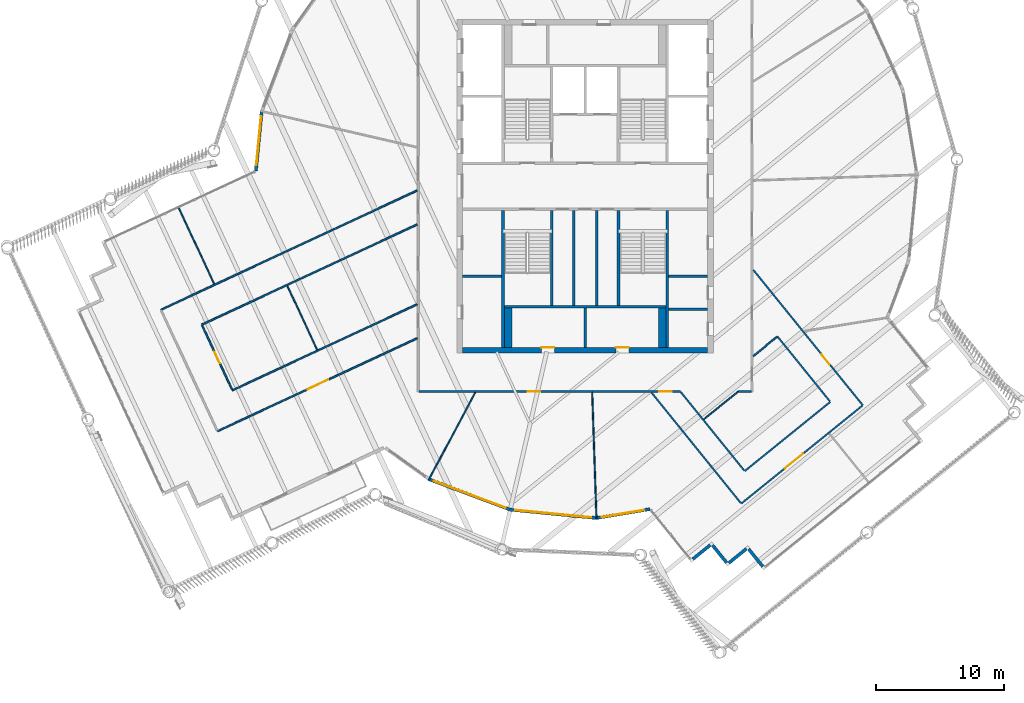
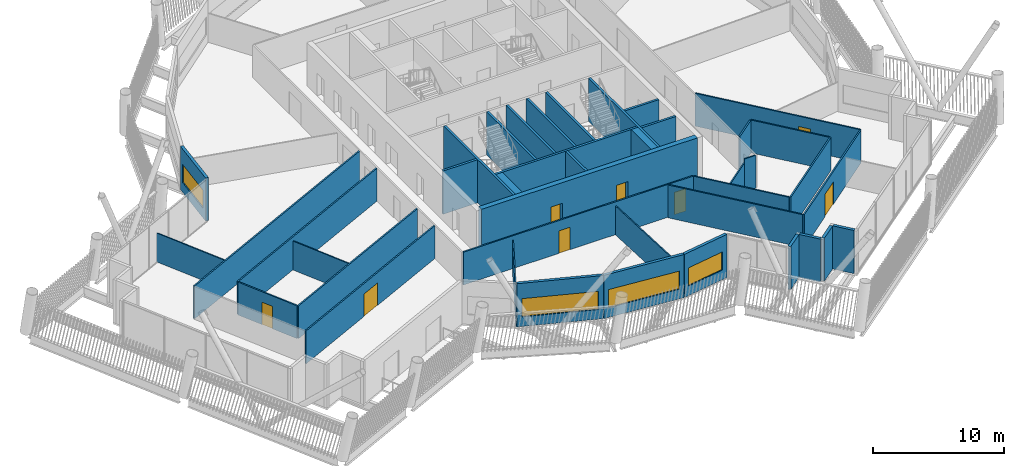
# One storey, part 18 of 36: 41 walls, 8 doors, 4 windows, 12 openings.
"""IFC4 building model written with IfcOpenShell, lengths in metres."""

from ifc_helpers import new_model, si_unit, direction, frame, frame_2d, origin, place, context, subcontext, project, spatial, rectangle, extrude, material, layer, layer_set, type_object, element, fill, save


model = new_model("IFC4")

# Units and contexts
model_context = context("Model", 3, precision=1e-05, world=origin(), true_north=direction((0.0, 1.0)))
body_context = subcontext(model_context, "Body", "Model", "MODEL_VIEW")
ifc_project = project(units=[si_unit("LENGTHUNIT", "METRE"), si_unit("AREAUNIT", "SQUARE_METRE"), si_unit("VOLUMEUNIT", "CUBIC_METRE"), si_unit("PLANEANGLEUNIT", "RADIAN"), si_unit("MASSUNIT", "GRAM", prefix="KILO")], contexts=[model_context])

# Site, building, storey
site_placement = place(None, origin())
site = spatial("IfcSite", under=ifc_project, at=site_placement, CompositionType="ELEMENT")
building_placement = place(site_placement, origin())
building = spatial("IfcBuilding", under=site, at=building_placement, Name="Tarsis Ring Headquarters", CompositionType="ELEMENT")
storey_placement = place(building_placement, frame((0.0, 0.0, 386.0)))
storey = spatial("IfcBuildingStorey", under=building, at=storey_placement, Name="L91", CompositionType="ELEMENT", Elevation=386.0)

# Walls
ifc_material_1 = material(Name="Blockwork", Category="masonry")
ifc_layer_1 = layer(ifc_material_1, 0.199951171875)
ifc_layer_set_1 = layer_set([ifc_layer_1], Name="Core blockwork wall 200")
wall_type_1 = type_object("IfcWallType", Name="Core blockwork wall 200", PredefinedType="PARTITIONING", material=ifc_layer_set_1)
for number, where, z_axis, x_axis, name in (
    (1, (-9.550048828125, -7.0, 0.0), (0.0, 0.0, 1.0), (1.0, 0.0, 0.0), "Core partition WD2"),
    (2, (6.5, -9.60009765625, 0.0), (0.0, 0.0, 1.0), (1.0, 0.0, 0.0), "Core partition ED1"),
    (3, (6.5, -7.0, 0.0), (0.0, 0.0, 1.0), (1.0, 0.0, 0.0), "Core partition ED2"),
    (4, (0.0, -12.550048828125, 0.0), (0.0, 0.0, 1.0), (0.0, 1.0, 0.0), "Core partition SD2"),
):
    element("IfcWall", number, at=place(storey_placement, frame(where, z_axis=z_axis, x_axis=x_axis)), inside=storey, type_object=wall_type_1, Name=name, PredefinedType="PARTITIONING", context=body_context, shape_type="SweptSolid", body=[
        extrude(rectangle(XDim=3.050048828125, YDim=0.199951171875, at=frame_2d((1.52490234375, 0.0))), origin(), (0.0, 0.0, 1.0), 4.0400390625),
    ])
for number, where, z_axis, x_axis, name in (
    (5, (-0.89990234375, -9.300048828125, 0.0), (0.0, 0.0, 1.0), (0.0, 1.0, 0.0), "Core partition SV1"),
    (6, (0.89990234375, -9.300048828125, 0.0), (0.0, 0.0, 1.0), (0.0, 1.0, 0.0), "Core partition SV2"),
):
    element("IfcWall", number, at=place(storey_placement, frame(where, z_axis=z_axis, x_axis=x_axis)), inside=storey, type_object=wall_type_1, Name=name, PredefinedType="PARTITIONING", context=body_context, shape_type="SweptSolid", body=[
        extrude(rectangle(XDim=7.400146484375, YDim=0.199951171875, at=frame_2d((3.7001953125, 0.0))), origin(), (0.0, 0.0, 1.0), 4.0400390625),
    ])

# Wall, openings, doors
ifc_material_2 = material(Name="Concrete C50/60", Category="concrete")
ifc_layer_2 = layer(ifc_material_2, 0.449951171875)
ifc_layer_set_2 = layer_set([ifc_layer_2], Name="Core wall 450 C50/60")
wall_type_2 = type_object("IfcWallType", Name="Core wall 450 C50/60", PredefinedType="SHEAR", material=ifc_layer_set_2)
wall_1_placement = place(storey_placement, frame((-9.550048828125, -12.77490234375, 0.0), z_axis=(0.0, 0.0, 1.0), x_axis=(1.0, 0.0, 0.0)))
wall_1 = element("IfcWall", 7, at=wall_1_placement, inside=storey, type_object=wall_type_2, Name="Core wall OS", PredefinedType="SHEAR", context=body_context, shape_type="SweptSolid", body=[
    extrude(rectangle(XDim=19.10009765625, YDim=0.449951171875, at=frame_2d((9.550048828125, 0.0))), origin(), (0.0, 0.0, 1.0), 4.0400390625),
])
opening_1_placement = place(wall_1_placement, frame((6.14990234375, 0.0, 0.0)))
opening_1 = element("IfcOpeningElement", 8, at=opening_1_placement, cuts=wall_1, Name="Opening L91-C18", PredefinedType="OPENING", context=body_context, shape_type="SweptSolid", body=[
    extrude(rectangle(XDim=1.0, YDim=2.10009765625, at=frame_2d((0.5, 1.050048828125))), frame((0.0, 0.23486328125, 0.0), z_axis=(0.0, -1.0, 0.0), x_axis=(1.0, 0.0, 0.0)), (0.0, 0.0, 1.0), 0.469970703125),
])
opening_2_placement = place(wall_1_placement, frame((11.949951171875, 0.0, 0.0)))
opening_2 = element("IfcOpeningElement", 9, at=opening_2_placement, cuts=wall_1, Name="Opening L91-C19", PredefinedType="OPENING", context=body_context, shape_type="SweptSolid", body=[
    extrude(rectangle(XDim=1.0, YDim=2.10009765625, at=frame_2d((0.5, 1.050048828125))), frame((0.0, 0.23486328125, 0.0), z_axis=(0.0, -1.0, 0.0), x_axis=(1.0, 0.0, 0.0)), (0.0, 0.0, 1.0), 0.469970703125),
])
ifc_material_3 = material(Name="Steel S355", Category="steel")
door_type_1 = type_object("IfcDoorType", Name="Core room door 1000x2100", OperationType="SINGLE_SWING_LEFT", PredefinedType="DOOR", material=ifc_material_3)
door_1_placement = place(opening_1_placement, origin())
door_1 = element("IfcDoor", 10, at=door_1_placement, inside=storey, type_object=door_type_1, Name="Core room door L91", OperationType="SINGLE_SWING_LEFT", OverallHeight=2.10009765625, OverallWidth=1.0, PredefinedType="DOOR", context=body_context, shape_type="SweptSolid", body=[
    extrude(rectangle(XDim=1.0, YDim=2.10009765625, at=frame_2d((0.5, 1.050048828125))), frame((0.0, 0.22509765625, 0.0), z_axis=(0.0, -1.0, 0.0), x_axis=(1.0, 0.0, 0.0)), (0.0, 0.0, 1.0), 0.050048828125),
])
fill(opening_1, door_1)
door_2_placement = place(opening_2_placement, origin())
door_2 = element("IfcDoor", 11, at=door_2_placement, inside=storey, type_object=door_type_1, Name="Core room door L91", OperationType="SINGLE_SWING_LEFT", OverallHeight=2.10009765625, OverallWidth=1.0, PredefinedType="DOOR", context=body_context, shape_type="SweptSolid", body=[
    extrude(rectangle(XDim=1.0, YDim=2.10009765625, at=frame_2d((0.5, 1.050048828125))), frame((0.0, 0.22509765625, 0.0), z_axis=(0.0, -1.0, 0.0), x_axis=(1.0, 0.0, 0.0)), (0.0, 0.0, 1.0), 0.050048828125),
])
fill(opening_2, door_2)

# Walls
ifc_material_4 = material(Name="Gypsum board on steel studs", Category="steel")
ifc_layer_3 = layer(ifc_material_4, 0.10009765625)
ifc_layer_set_3 = layer_set([ifc_layer_3], Name="FL partition 100 unrated")
wall_type_3 = type_object("IfcWallType", Name="FL partition 100 unrated", PredefinedType="PARTITIONING", material=ifc_layer_set_3)
wall_2_placement = place(storey_placement, frame((0.5498046875, -16.070068359375, 0.0), z_axis=(0.0, 0.0, 1.0), x_axis=(0.034215170413, -0.999414489646, 0.0)))
element("IfcWall", 12, at=wall_2_placement, inside=storey, type_object=wall_type_3, Name="Partition PW3", PredefinedType="PARTITIONING", context=body_context, shape_type="SweptSolid", body=[
    extrude(rectangle(XDim=9.868408203125, YDim=0.10009765625, at=frame_2d((4.93408203125, 0.0))), origin(), (0.0, 0.0, 1.0), 2.699951171875),
])
wall_3_placement = place(storey_placement, frame((-12.19775390625, -22.902099609375, 0.0), z_axis=(0.0, 0.0, 1.0), x_axis=(0.470083265354, 0.882622072936, 0.0)))
element("IfcWall", 13, at=wall_3_placement, inside=storey, type_object=wall_type_3, Name="Partition PW3", PredefinedType="PARTITIONING", context=body_context, shape_type="SweptSolid", body=[
    extrude(rectangle(XDim=7.72998046875, YDim=0.10009765625, at=frame_2d((3.864990234375, 0.0))), origin(), (0.0, 0.0, 1.0), 2.699951171875),
])
wall_4_placement = place(storey_placement, frame((-31.715087890625, -1.580810546875, 0.0), z_axis=(0.0, 0.0, 1.0), x_axis=(0.421994257379, -0.906598503605, 0.0)))
element("IfcWall", 14, at=wall_4_placement, inside=storey, type_object=wall_type_3, Name="Partition PW3", PredefinedType="PARTITIONING", context=body_context, shape_type="SweptSolid", body=[
    extrude(rectangle(XDim=6.66015625, YDim=0.10009765625, at=frame_2d((3.330078125, 0.0))), origin(), (0.0, 0.0, 1.0), 2.699951171875),
])
wall_5_placement = place(storey_placement, frame((-23.199951171875, -7.765380859375, 0.0), z_axis=(0.0, 0.0, 1.0), x_axis=(0.422003161503, -0.906594358951, 0.0)))
element("IfcWall", 15, at=wall_5_placement, inside=storey, type_object=wall_type_3, Name="Partition PW3", PredefinedType="PARTITIONING", context=body_context, shape_type="SweptSolid", body=[
    extrude(rectangle(XDim=5.5, YDim=0.10009765625, at=frame_2d((2.75, 0.0))), origin(), (0.0, 0.0, 1.0), 2.699951171875),
])
wall_6_placement = place(storey_placement, frame((9.25634765625, -18.158447265625, 0.0), z_axis=(0.0, 0.0, 1.0), x_axis=(0.777561199648, 0.628807268407, 0.0)))
element("IfcWall", 16, at=wall_6_placement, inside=storey, type_object=wall_type_3, Name="Partition PW3", PredefinedType="PARTITIONING", context=body_context, shape_type="SweptSolid", body=[
    extrude(rectangle(XDim=3.431884765625, YDim=0.10009765625, at=frame_2d((1.7158203125, 0.0))), origin(), (0.0, 0.0, 1.0), 2.699951171875),
])
ifc_layer_4 = layer(ifc_material_4, 0.125)
ifc_layer_set_4 = layer_set([ifc_layer_4], Name="FL partition 125 EI 60 H3070")
wall_type_4 = type_object("IfcWallType", Name="FL partition 125 EI 60 H3070", PredefinedType="PARTITIONING", material=ifc_layer_set_4)
wall_7_placement = place(storey_placement, frame((-33.054443359375, -9.627685546875, 0.0), z_axis=(0.0, 0.0, 1.0), x_axis=(0.906605379769, 0.421979484541, 0.0)))
element("IfcWall", 17, at=wall_7_placement, inside=storey, type_object=wall_type_4, Name="Partition PW1H307", PredefinedType="PARTITIONING", context=body_context, shape_type="SweptSolid", body=[
    extrude(rectangle(XDim=22.030517578125, YDim=0.125, at=frame_2d((11.01513671875, 0.0))), origin(), (0.0, 0.0, 1.0), 3.070068359375),
])

# Wall, openings, doors
wall_8_placement = place(storey_placement, frame((-12.93994140625, -16.0, 0.0), z_axis=(0.0, 0.0, 1.0), x_axis=(1.0, 0.0, 0.0)))
wall_8 = element("IfcWall", 18, at=wall_8_placement, inside=storey, type_object=wall_type_4, Name="Partition PW1H307", PredefinedType="PARTITIONING", context=body_context, shape_type="SweptSolid", body=[
    extrude(rectangle(XDim=20.36083984375, YDim=0.125, at=frame_2d((10.180419921875, 0.0))), origin(), (0.0, 0.0, 1.0), 3.070068359375),
])
opening_3_placement = place(wall_8_placement, frame((8.452880859375, 0.0, 0.0)))
opening_3 = element("IfcOpeningElement", 19, at=opening_3_placement, cuts=wall_8, Name="Opening D91.11", PredefinedType="OPENING", context=body_context, shape_type="SweptSolid", body=[
    extrude(rectangle(XDim=1.0, YDim=2.10009765625, at=frame_2d((0.5, 1.050048828125))), frame((0.0, 0.072509765625, 0.0), z_axis=(0.0, -1.0, 0.0), x_axis=(1.0, 0.0, 0.0)), (0.0, 0.0, 1.0), 0.14501953125),
])
opening_4_placement = place(wall_8_placement, frame((18.70361328125, 0.0, 0.0)))
opening_4 = element("IfcOpeningElement", 20, at=opening_4_placement, cuts=wall_8, Name="Opening D91.15", PredefinedType="OPENING", context=body_context, shape_type="SweptSolid", body=[
    extrude(rectangle(XDim=1.0, YDim=2.10009765625, at=frame_2d((0.5, 1.050048828125))), frame((0.0, 0.072509765625, 0.0), z_axis=(0.0, -1.0, 0.0), x_axis=(1.0, 0.0, 0.0)), (0.0, 0.0, 1.0), 0.14501953125),
])
ifc_material_5 = material(Name="Fire-rated timber door leaf in steel frame", Category="steel")
door_type_2 = type_object("IfcDoorType", Name="FL door FD60-1000", OperationType="NOTDEFINED", PredefinedType="DOOR", material=ifc_material_5)
door_3_placement = place(opening_3_placement, origin())
door_3 = element("IfcDoor", 21, at=door_3_placement, inside=storey, type_object=door_type_2, Name="Door D91.11", OperationType="SINGLE_SWING_RIGHT", OverallHeight=2.10009765625, OverallWidth=1.0, PredefinedType="DOOR", context=body_context, shape_type="SweptSolid", body=[
    extrude(rectangle(XDim=1.0, YDim=2.10009765625, at=frame_2d((0.5, 1.050048828125))), frame((0.0, 0.02490234375, 0.0), z_axis=(0.0, -1.0, 0.0), x_axis=(1.0, 0.0, 0.0)), (0.0, 0.0, 1.0), 0.050048828125),
])
fill(opening_3, door_3)
door_4_placement = place(opening_4_placement, origin())
door_4 = element("IfcDoor", 22, at=door_4_placement, inside=storey, type_object=door_type_2, Name="Door D91.15", OperationType="SINGLE_SWING_RIGHT", OverallHeight=2.10009765625, OverallWidth=1.0, PredefinedType="DOOR", context=body_context, shape_type="SweptSolid", body=[
    extrude(rectangle(XDim=1.0, YDim=2.10009765625, at=frame_2d((0.5, 1.050048828125))), frame((0.0, 0.02490234375, 0.0), z_axis=(0.0, -1.0, 0.0), x_axis=(1.0, 0.0, 0.0)), (0.0, 0.0, 1.0), 0.050048828125),
])
fill(opening_4, door_4)

# Wall
wall_9_placement = place(storey_placement, frame((-29.86572265625, -10.790771484375, 0.0), z_axis=(0.0, 0.0, 1.0), x_axis=(0.906604155823, 0.421982114129, 0.0)))
element("IfcWall", 23, at=wall_9_placement, inside=storey, type_object=wall_type_4, Name="Partition PW1H307", PredefinedType="PARTITIONING", context=body_context, shape_type="SweptSolid", body=[
    extrude(rectangle(XDim=18.51318359375, YDim=0.125, at=frame_2d((9.256591796875, 0.0))), origin(), (0.0, 0.0, 1.0), 3.070068359375),
])

# Wall, opening, door
wall_10_placement = place(storey_placement, frame((-28.64892578125, -19.092529296875, 0.0), z_axis=(0.0, 0.0, 1.0), x_axis=(0.906605132496, 0.421980015798, 0.0)))
wall_10 = element("IfcWall", 24, at=wall_10_placement, inside=storey, type_object=wall_type_4, Name="Partition PW1H307", PredefinedType="PARTITIONING", context=body_context, shape_type="SweptSolid", body=[
    extrude(rectangle(XDim=17.171142578125, YDim=0.125, at=frame_2d((8.58544921875, 0.0))), origin(), (0.0, 0.0, 1.0), 3.070068359375),
])
opening_5_placement = place(wall_10_placement, frame((7.73046875, 0.0, 0.0)))
opening_5 = element("IfcOpeningElement", 25, at=opening_5_placement, cuts=wall_10, Name="Opening D91.01", PredefinedType="OPENING", context=body_context, shape_type="SweptSolid", body=[
    extrude(rectangle(XDim=1.800048828125, YDim=2.10009765625, at=frame_2d((0.89990234375, 1.050048828125))), frame((0.0, 0.072509765625, 0.0), z_axis=(0.0, -1.0, 0.0), x_axis=(1.0, 0.0, 0.0)), (0.0, 0.0, 1.0), 0.14501953125),
])
door_type_3 = type_object("IfcDoorType", Name="FL door FD60-1800", OperationType="DOUBLE_DOOR_SINGLE_SWING", PredefinedType="DOOR", material=ifc_material_5)
door_5_placement = place(opening_5_placement, origin())
door_5 = element("IfcDoor", 26, at=door_5_placement, inside=storey, type_object=door_type_3, Name="Door D91.01", OperationType="DOUBLE_DOOR_SINGLE_SWING", OverallHeight=2.10009765625, OverallWidth=1.800048828125, PredefinedType="DOOR", context=body_context, shape_type="SweptSolid", body=[
    extrude(rectangle(XDim=1.800048828125, YDim=2.10009765625, at=frame_2d((0.89990234375, 1.050048828125))), frame((0.0, 0.02490234375, 0.0), z_axis=(0.0, -1.0, 0.0), x_axis=(1.0, 0.0, 0.0)), (0.0, 0.0, 1.0), 0.050048828125),
])
fill(opening_5, door_5)

# Wall
wall_11_placement = place(storey_placement, frame((-27.48583984375, -15.904052734375, 0.0), z_axis=(0.0, 0.0, 1.0), x_axis=(0.906602738404, 0.421985159357, 0.0)))
element("IfcWall", 27, at=wall_11_placement, inside=storey, type_object=wall_type_4, Name="Partition PW1H307", PredefinedType="PARTITIONING", context=body_context, shape_type="SweptSolid", body=[
    extrude(rectangle(XDim=15.88818359375, YDim=0.125, at=frame_2d((7.944091796875, 0.0))), origin(), (0.0, 0.0, 1.0), 3.070068359375),
])

# Wall, opening, door
wall_12_placement = place(storey_placement, frame((13.1005859375, -6.515625, 0.0), z_axis=(0.0, 0.0, 1.0), x_axis=(0.628776520346, -0.777586064344, 0.0)))
wall_12 = element("IfcWall", 28, at=wall_12_placement, inside=storey, type_object=wall_type_4, Name="Partition PW1H307", PredefinedType="PARTITIONING", context=body_context, shape_type="SweptSolid", body=[
    extrude(rectangle(XDim=13.576171875, YDim=0.125, at=frame_2d((6.7880859375, 0.0))), origin(), (0.0, 0.0, 1.0), 3.070068359375),
])
opening_6_placement = place(wall_12_placement, frame((8.4716796875, 0.0, 0.0)))
opening_6 = element("IfcOpeningElement", 29, at=opening_6_placement, cuts=wall_12, Name="Opening D91.09", PredefinedType="OPENING", context=body_context, shape_type="SweptSolid", body=[
    extrude(rectangle(XDim=1.0, YDim=2.10009765625, at=frame_2d((0.5, 1.050048828125))), frame((0.0, 0.072509765625, 0.0), z_axis=(0.0, -1.0, 0.0), x_axis=(1.0, 0.0, 0.0)), (0.0, 0.0, 1.0), 0.14501953125),
])
door_6_placement = place(opening_6_placement, origin())
door_6 = element("IfcDoor", 30, at=door_6_placement, inside=storey, type_object=door_type_2, Name="Door D91.09", OperationType="SINGLE_SWING_RIGHT", OverallHeight=2.10009765625, OverallWidth=1.0, PredefinedType="DOOR", context=body_context, shape_type="SweptSolid", body=[
    extrude(rectangle(XDim=1.0, YDim=2.10009765625, at=frame_2d((0.5, 1.050048828125))), frame((0.0, 0.02490234375, 0.0), z_axis=(0.0, -1.0, 0.0), x_axis=(1.0, 0.0, 0.0)), (0.0, 0.0, 1.0), 0.050048828125),
])
fill(opening_6, door_6)

wall_13_placement = place(storey_placement, frame((12.166015625, -24.730712890625, 0.0), z_axis=(0.0, 0.0, 1.0), x_axis=(0.777591888449, 0.628769317809, 0.0)))
wall_13 = element("IfcWall", 31, at=wall_13_placement, inside=storey, type_object=wall_type_4, Name="Partition PW1H307", PredefinedType="PARTITIONING", context=body_context, shape_type="SweptSolid", body=[
    extrude(rectangle(XDim=12.119873046875, YDim=0.125, at=frame_2d((6.06005859375, 0.0))), origin(), (0.0, 0.0, 1.0), 3.070068359375),
])
opening_7_placement = place(wall_13_placement, frame((4.37841796875, 0.0, 0.0)))
opening_7 = element("IfcOpeningElement", 32, at=opening_7_placement, cuts=wall_13, Name="Opening D91.10", PredefinedType="OPENING", context=body_context, shape_type="SweptSolid", body=[
    extrude(rectangle(XDim=1.800048828125, YDim=2.10009765625, at=frame_2d((0.89990234375, 1.050048828125))), frame((0.0, 0.072509765625, 0.0), z_axis=(0.0, -1.0, 0.0), x_axis=(1.0, 0.0, 0.0)), (0.0, 0.0, 1.0), 0.14501953125),
])
door_7_placement = place(opening_7_placement, origin())
door_7 = element("IfcDoor", 33, at=door_7_placement, inside=storey, type_object=door_type_3, Name="Door D91.10", OperationType="DOUBLE_DOOR_SINGLE_SWING", OverallHeight=2.10009765625, OverallWidth=1.800048828125, PredefinedType="DOOR", context=body_context, shape_type="SweptSolid", body=[
    extrude(rectangle(XDim=1.800048828125, YDim=2.10009765625, at=frame_2d((0.89990234375, 1.050048828125))), frame((0.0, 0.02490234375, 0.0), z_axis=(0.0, -1.0, 0.0), x_axis=(1.0, 0.0, 0.0)), (0.0, 0.0, 1.0), 0.050048828125),
])
fill(opening_7, door_7)

# Walls
wall_14_placement = place(storey_placement, frame((5.181640625, -16.09326171875, 0.0), z_axis=(0.0, 0.0, 1.0), x_axis=(0.628777305217, -0.777585429676, 0.0)))
element("IfcWall", 34, at=wall_14_placement, inside=storey, type_object=wall_type_4, Name="Partition PW1H307", PredefinedType="PARTITIONING", context=body_context, shape_type="SweptSolid", body=[
    extrude(rectangle(XDim=11.048095703125, YDim=0.125, at=frame_2d((5.52392578125, 0.0))), origin(), (0.0, 0.0, 1.0), 3.070068359375),
])
wall_15_placement = place(storey_placement, frame((12.433837890625, -22.19921875, 0.0), z_axis=(0.0, 0.0, 1.0), x_axis=(0.777601906702, 0.628756928147, 0.0)))
element("IfcWall", 35, at=wall_15_placement, inside=storey, type_object=wall_type_4, Name="Partition PW1H307", PredefinedType="PARTITIONING", context=body_context, shape_type="SweptSolid", body=[
    extrude(rectangle(XDim=8.580078125, YDim=0.125, at=frame_2d((4.2900390625, 0.0))), origin(), (0.0, 0.0, 1.0), 3.070068359375),
])
wall_16_placement = place(storey_placement, frame((7.4462890625, -16.031005859375, 0.0), z_axis=(0.0, 0.0, 1.0), x_axis=(0.628767235835, -0.777593571952, 0.0)))
element("IfcWall", 36, at=wall_16_placement, inside=storey, type_object=wall_type_4, Name="Partition PW1H307", PredefinedType="PARTITIONING", context=body_context, shape_type="SweptSolid", body=[
    extrude(rectangle(XDim=7.87255859375, YDim=0.125, at=frame_2d((3.936279296875, 0.0))), origin(), (0.0, 0.0, 1.0), 3.070068359375),
])
wall_17_placement = place(storey_placement, frame((14.98583984375, -11.709716796875, 0.0), z_axis=(0.0, 0.0, 1.0), x_axis=(0.62877730651, -0.77758542863, 0.0)))
element("IfcWall", 37, at=wall_17_placement, inside=storey, type_object=wall_type_4, Name="Partition PW1H307", PredefinedType="PARTITIONING", context=body_context, shape_type="SweptSolid", body=[
    extrude(rectangle(XDim=6.491943359375, YDim=0.125, at=frame_2d((3.24609375, 0.0))), origin(), (0.0, 0.0, 1.0), 3.070068359375),
])

# Wall, opening, door
wall_18_placement = place(storey_placement, frame((-29.840576171875, -10.84521484375, 0.0), z_axis=(0.0, 0.0, 1.0), x_axis=(0.421986960982, -0.906601899822, 0.0)))
wall_18 = element("IfcWall", 38, at=wall_18_placement, inside=storey, type_object=wall_type_4, Name="Partition PW1H307", PredefinedType="PARTITIONING", context=body_context, shape_type="SweptSolid", body=[
    extrude(rectangle(XDim=5.52001953125, YDim=0.125, at=frame_2d((2.760009765625, 0.0))), origin(), (0.0, 0.0, 1.0), 3.070068359375),
])
opening_8_placement = place(wall_18_placement, frame((2.260009765625, 0.0, 0.0)))
opening_8 = element("IfcOpeningElement", 39, at=opening_8_placement, cuts=wall_18, Name="Opening D91.13", PredefinedType="OPENING", context=body_context, shape_type="SweptSolid", body=[
    extrude(rectangle(XDim=1.0, YDim=2.10009765625, at=frame_2d((0.5, 1.050048828125))), frame((0.0, 0.072509765625, 0.0), z_axis=(0.0, -1.0, 0.0), x_axis=(1.0, 0.0, 0.0)), (0.0, 0.0, 1.0), 0.14501953125),
])
door_8_placement = place(opening_8_placement, origin())
door_8 = element("IfcDoor", 40, at=door_8_placement, inside=storey, type_object=door_type_2, Name="Door D91.13", OperationType="SINGLE_SWING_RIGHT", OverallHeight=2.10009765625, OverallWidth=1.0, PredefinedType="DOOR", context=body_context, shape_type="SweptSolid", body=[
    extrude(rectangle(XDim=1.0, YDim=2.10009765625, at=frame_2d((0.5, 1.050048828125))), frame((0.0, 0.02490234375, 0.0), z_axis=(0.0, -1.0, 0.0), x_axis=(1.0, 0.0, 0.0)), (0.0, 0.0, 1.0), 0.050048828125),
])
fill(opening_8, door_8)

# Walls
wall_19_placement = place(storey_placement, frame((13.094482421875, -13.241455078125, 0.0), z_axis=(0.0, 0.0, 1.0), x_axis=(0.777587233021, 0.628775075081, 0.0)))
element("IfcWall", 41, at=wall_19_placement, inside=storey, type_object=wall_type_4, Name="Partition PW1H307", PredefinedType="PARTITIONING", context=body_context, shape_type="SweptSolid", body=[
    extrude(rectangle(XDim=2.3740234375, YDim=0.125, at=frame_2d((1.18701171875, 0.0))), origin(), (0.0, 0.0, 1.0), 3.070068359375),
])
wall_20_placement = place(storey_placement, frame((11.944580078125, -16.0, 0.0), z_axis=(0.0, 0.0, 1.0), x_axis=(1.0, 0.0, 0.0)))
element("IfcWall", 42, at=wall_20_placement, inside=storey, type_object=wall_type_4, Name="Partition PW1H307", PredefinedType="PARTITIONING", context=body_context, shape_type="SweptSolid", body=[
    extrude(rectangle(XDim=0.994384765625, YDim=0.125, at=frame_2d((0.4970703125, 0.0))), origin(), (0.0, 0.0, 1.0), 3.070068359375),
])

# Wall, opening, window
ifc_material_6 = material(Name="Terracotta clad insulated panel wall", Category="masonry")
ifc_layer_5 = layer(ifc_material_6, 0.25)
ifc_layer_set_5 = layer_set([ifc_layer_5], Name="Facade wall terracotta panel 250")
wall_type_5 = type_object("IfcWallType", Name="Facade wall terracotta panel 250", PredefinedType="STANDARD", material=ifc_layer_set_5)
wall_21_placement = place(storey_placement, frame((-12.147705078125, -22.842529296875, 0.0), z_axis=(0.0, 0.0, 1.0), x_axis=(0.93642765517, -0.350860722556, 0.0)))
wall_21 = element("IfcWall", 43, at=wall_21_placement, inside=storey, type_object=wall_type_5, Name="External wall L91-03", PredefinedType="STANDARD", context=body_context, shape_type="SweptSolid", body=[
    extrude(rectangle(XDim=6.7216796875, YDim=0.25, at=frame_2d((3.36083984375, 0.0))), origin(), (0.0, 0.0, 1.0), 4.0400390625),
])
opening_9_placement = place(wall_21_placement, frame((0.3857421875, 0.0, 0.89990234375)))
opening_9 = element("IfcOpeningElement", 44, at=opening_9_placement, cuts=wall_21, Name="Opening WN07", PredefinedType="OPENING", context=body_context, shape_type="SweptSolid", body=[
    extrude(rectangle(XDim=5.949951171875, YDim=1.699951171875, at=frame_2d((2.97509765625, 0.85009765625))), frame((0.0, 0.135009765625, 0.0), z_axis=(0.0, -1.0, 0.0), x_axis=(1.0, 0.0, 0.0)), (0.0, 0.0, 1.0), 0.27001953125),
])
ifc_material_7 = material(Name="Aluminium framed double glazing", Category="aluminium")
window_type_1 = type_object("IfcWindowType", Name="Facade window 5950 x 1700", PartitioningType="SINGLE_PANEL", PredefinedType="WINDOW", material=ifc_material_7)
window_1_placement = place(opening_9_placement, origin())
window_1 = element("IfcWindow", 45, at=window_1_placement, inside=storey, type_object=window_type_1, Name="Window L91-03.1", OverallHeight=1.699951171875, OverallWidth=5.949951171875, PartitioningType="SINGLE_PANEL", PredefinedType="WINDOW", context=body_context, shape_type="SweptSolid", body=[
    extrude(rectangle(XDim=5.949951171875, YDim=1.699951171875, at=frame_2d((2.97509765625, 0.85009765625))), frame((0.0, 0.030029296875, 0.0), z_axis=(0.0, -1.0, 0.0), x_axis=(1.0, 0.0, 0.0)), (0.0, 0.0, 1.0), 0.06005859375),
])
fill(opening_9, window_1)

wall_22_placement = place(storey_placement, frame((-5.821533203125, -25.208251953125, 0.0), z_axis=(0.0, 0.0, 1.0), x_axis=(0.995328757921, -0.096543584226, 0.0)))
wall_22 = element("IfcWall", 46, at=wall_22_placement, inside=storey, type_object=wall_type_5, Name="External wall L91-04", PredefinedType="STANDARD", context=body_context, shape_type="SweptSolid", body=[
    extrude(rectangle(XDim=6.7216796875, YDim=0.25, at=frame_2d((3.36083984375, 0.0))), origin(), (0.0, 0.0, 1.0), 4.0400390625),
])
opening_10_placement = place(wall_22_placement, frame((0.3857421875, 0.0, 0.89990234375)))
opening_10 = element("IfcOpeningElement", 47, at=opening_10_placement, cuts=wall_22, Name="Opening WN07", PredefinedType="OPENING", context=body_context, shape_type="SweptSolid", body=[
    extrude(rectangle(XDim=5.949951171875, YDim=1.699951171875, at=frame_2d((2.97509765625, 0.85009765625))), frame((0.0, 0.135009765625, 0.0), z_axis=(0.0, -1.0, 0.0), x_axis=(1.0, 0.0, 0.0)), (0.0, 0.0, 1.0), 0.27001953125),
])
window_2_placement = place(opening_10_placement, origin())
window_2 = element("IfcWindow", 48, at=window_2_placement, inside=storey, type_object=window_type_1, Name="Window L91-04.1", OverallHeight=1.699951171875, OverallWidth=5.949951171875, PartitioningType="SINGLE_PANEL", PredefinedType="WINDOW", context=body_context, shape_type="SweptSolid", body=[
    extrude(rectangle(XDim=5.949951171875, YDim=1.699951171875, at=frame_2d((2.97509765625, 0.85009765625))), frame((0.0, 0.030029296875, 0.0), z_axis=(0.0, -1.0, 0.0), x_axis=(1.0, 0.0, 0.0)), (0.0, 0.0, 1.0), 0.06005859375),
])
fill(opening_10, window_2)

wall_23_placement = place(storey_placement, frame((0.901123046875, -25.85595703125, 0.0), z_axis=(0.0, 0.0, 1.0), x_axis=(0.986403342548, 0.164342465022, 0.0)))
wall_23 = element("IfcWall", 49, at=wall_23_placement, inside=storey, type_object=wall_type_5, Name="External wall L91-05", PredefinedType="STANDARD", context=body_context, shape_type="SweptSolid", body=[
    extrude(rectangle(XDim=4.20263671875, YDim=0.25, at=frame_2d((2.101318359375, 0.0))), origin(), (0.0, 0.0, 1.0), 4.0400390625),
])
opening_11_placement = place(wall_23_placement, frame((0.38720703125, 0.0, 0.89990234375)))
opening_11 = element("IfcOpeningElement", 50, at=opening_11_placement, cuts=wall_23, Name="Opening WN01", PredefinedType="OPENING", context=body_context, shape_type="SweptSolid", body=[
    extrude(rectangle(XDim=3.35009765625, YDim=1.699951171875, at=frame_2d((1.675048828125, 0.85009765625))), frame((0.0, 0.135009765625, 0.0), z_axis=(0.0, -1.0, 0.0), x_axis=(1.0, 0.0, 0.0)), (0.0, 0.0, 1.0), 0.27001953125),
])
window_type_2 = type_object("IfcWindowType", Name="Facade window 3350 x 1700", PartitioningType="SINGLE_PANEL", PredefinedType="WINDOW", material=ifc_material_7)
window_3_placement = place(opening_11_placement, origin())
window_3 = element("IfcWindow", 51, at=window_3_placement, inside=storey, type_object=window_type_2, Name="Window L91-05.1", OverallHeight=1.699951171875, OverallWidth=3.35009765625, PartitioningType="SINGLE_PANEL", PredefinedType="WINDOW", context=body_context, shape_type="SweptSolid", body=[
    extrude(rectangle(XDim=3.35009765625, YDim=1.699951171875, at=frame_2d((1.675048828125, 0.85009765625))), frame((0.0, 0.030029296875, 0.0), z_axis=(0.0, -1.0, 0.0), x_axis=(1.0, 0.0, 0.0)), (0.0, 0.0, 1.0), 0.06005859375),
])
fill(opening_11, window_3)

# Walls
wall_24_placement = place(storey_placement, frame((8.390625, -29.063232421875, 0.0), z_axis=(0.0, 0.0, 1.0), x_axis=(0.777550196211, 0.628820874632, 0.0)))
element("IfcWall", 52, at=wall_24_placement, inside=storey, type_object=wall_type_5, Name="External wall L91-07", PredefinedType="STANDARD", context=body_context, shape_type="SweptSolid", body=[
    extrude(rectangle(XDim=1.749755859375, YDim=0.25, at=frame_2d((0.875, 0.0))), origin(), (0.0, 0.0, 1.0), 4.0400390625),
])
wall_25_placement = place(storey_placement, frame((9.927001953125, -27.9814453125, 0.0), z_axis=(0.0, 0.0, 1.0), x_axis=(0.628837006162, -0.777537150033, 0.0)))
element("IfcWall", 53, at=wall_25_placement, inside=storey, type_object=wall_type_5, Name="External wall L91-08", PredefinedType="STANDARD", context=body_context, shape_type="SweptSolid", body=[
    extrude(rectangle(XDim=1.750244140625, YDim=0.25, at=frame_2d((0.875, 0.0))), origin(), (0.0, 0.0, 1.0), 4.0400390625),
])
for number, where, z_axis, x_axis, name in (
    (54, (11.203369140625, -29.36083984375, 0.0), (0.0, 0.0, 1.0), (0.777550196211, 0.628820874632, 0.0), "External wall L91-09"),
    (55, (12.73974609375, -28.279296875, 0.0), (0.0, 0.0, 1.0), (0.628820874632, -0.777550196211, 0.0), "External wall L91-10"),
):
    element("IfcWall", number, at=place(storey_placement, frame(where, z_axis=z_axis, x_axis=x_axis)), inside=storey, type_object=wall_type_5, Name=name, PredefinedType="STANDARD", context=body_context, shape_type="SweptSolid", body=[
        extrude(rectangle(XDim=1.749755859375, YDim=0.25, at=frame_2d((0.875, 0.0))), origin(), (0.0, 0.0, 1.0), 4.0400390625),
    ])

# Wall, opening, window
wall_26_placement = place(storey_placement, frame((-25.208251953125, 5.821533203125, 0.0), z_axis=(0.0, 0.0, 1.0), x_axis=(-0.096553446553, -0.995327801259, 0.0)))
wall_26 = element("IfcWall", 56, at=wall_26_placement, inside=storey, type_object=wall_type_5, Name="External wall L91-30", PredefinedType="STANDARD", context=body_context, shape_type="SweptSolid", body=[
    extrude(rectangle(XDim=4.66259765625, YDim=0.25, at=frame_2d((2.331298828125, 0.0))), origin(), (0.0, 0.0, 1.0), 4.0400390625),
])
opening_12_placement = place(wall_26_placement, frame((0.367431640625, 0.0, 0.89990234375)))
opening_12 = element("IfcOpeningElement", 57, at=opening_12_placement, cuts=wall_26, Name="Opening WN02", PredefinedType="OPENING", context=body_context, shape_type="SweptSolid", body=[
    extrude(rectangle(XDim=3.85009765625, YDim=1.699951171875, at=frame_2d((1.925048828125, 0.85009765625))), frame((0.0, 0.135009765625, 0.0), z_axis=(0.0, -1.0, 0.0), x_axis=(1.0, 0.0, 0.0)), (0.0, 0.0, 1.0), 0.27001953125),
])
window_type_3 = type_object("IfcWindowType", Name="Facade window 3850 x 1700", PartitioningType="SINGLE_PANEL", PredefinedType="WINDOW", material=ifc_material_7)
window_4_placement = place(opening_12_placement, origin())
window_4 = element("IfcWindow", 58, at=window_4_placement, inside=storey, type_object=window_type_3, Name="Window L91-30.1", OverallHeight=1.699951171875, OverallWidth=3.85009765625, PartitioningType="SINGLE_PANEL", PredefinedType="WINDOW", context=body_context, shape_type="SweptSolid", body=[
    extrude(rectangle(XDim=3.85009765625, YDim=1.699951171875, at=frame_2d((1.925048828125, 0.85009765625))), frame((0.0, 0.030029296875, 0.0), z_axis=(0.0, -1.0, 0.0), x_axis=(1.0, 0.0, 0.0)), (0.0, 0.0, 1.0), 0.06005859375),
])
fill(opening_12, window_4)

# Walls
ifc_material_8 = material(Name="Concrete C32/40", Category="concrete")
ifc_layer_6 = layer(ifc_material_8, 0.60009765625)
ifc_layer_set_6 = layer_set([ifc_layer_6], Name="Shaft end wall 600 C32/40")
wall_type_6 = type_object("IfcWallType", Name="Shaft end wall 600 C32/40", PredefinedType="SOLIDWALL", material=ifc_layer_set_6)
for number, where, z_axis, x_axis, name in (
    (59, (-6.0, -12.550048828125, 0.0), (0.0, 0.0, 1.0), (0.0, 1.0, 0.0), "Core shaft wall SNE1"),
    (60, (6.0, -12.550048828125, 0.0), (0.0, 0.0, 1.0), (0.0, 1.0, 0.0), "Core shaft wall SNE2"),
):
    element("IfcWall", number, at=place(storey_placement, frame(where, z_axis=z_axis, x_axis=x_axis)), inside=storey, type_object=wall_type_6, Name=name, PredefinedType="SOLIDWALL", context=body_context, shape_type="SweptSolid", body=[
        extrude(rectangle(XDim=3.050048828125, YDim=0.60009765625, at=frame_2d((1.52490234375, 0.0))), origin(), (0.0, 0.0, 1.0), 4.0400390625),
    ])
ifc_layer_7 = layer(ifc_material_8, 0.199951171875)
ifc_layer_set_7 = layer_set([ifc_layer_7], Name="Shaft wall 200 C32/40")
wall_type_7 = type_object("IfcWallType", Name="Shaft wall 200 C32/40", PredefinedType="SOLIDWALL", material=ifc_layer_set_7)
for number, where, z_axis, x_axis, name in (
    (61, (-6.39990234375, -12.550048828125, 0.0), (0.0, 0.0, 1.0), (0.0, 1.0, 0.0), "Core shaft wall WB1"),
    (62, (6.39990234375, -12.550048828125, 0.0), (0.0, 0.0, 1.0), (0.0, 1.0, 0.0), "Core shaft wall EB1"),
):
    element("IfcWall", number, at=place(storey_placement, frame(where, z_axis=z_axis, x_axis=x_axis)), inside=storey, type_object=wall_type_7, Name=name, PredefinedType="SOLIDWALL", context=body_context, shape_type="SweptSolid", body=[
        extrude(rectangle(XDim=10.650146484375, YDim=0.199951171875, at=frame_2d((5.3251953125, 0.0))), origin(), (0.0, 0.0, 1.0), 4.0400390625),
    ])
wall_27_placement = place(storey_placement, frame((-6.300048828125, -9.39990234375, 0.0), z_axis=(0.0, 0.0, 1.0), x_axis=(1.0, 0.0, 0.0)))
element("IfcWall", 63, at=wall_27_placement, inside=storey, type_object=wall_type_7, Name="Core shaft wall SB", PredefinedType="SOLIDWALL", context=body_context, shape_type="SweptSolid", body=[
    extrude(rectangle(XDim=12.60009765625, YDim=0.199951171875, at=frame_2d((6.300048828125, 0.0))), origin(), (0.0, 0.0, 1.0), 4.0400390625),
])
for number, where, z_axis, x_axis, name in (
    (64, (-2.60009765625, -9.300048828125, 0.0), (0.0, 0.0, 1.0), (0.0, 1.0, 0.0), "Core shaft wall SW3"),
    (65, (2.60009765625, -9.300048828125, 0.0), (0.0, 0.0, 1.0), (0.0, 1.0, 0.0), "Core shaft wall SW4"),
):
    element("IfcWall", number, at=place(storey_placement, frame(where, z_axis=z_axis, x_axis=x_axis)), inside=storey, type_object=wall_type_7, Name=name, PredefinedType="SOLIDWALL", context=body_context, shape_type="SweptSolid", body=[
        extrude(rectangle(XDim=7.400146484375, YDim=0.199951171875, at=frame_2d((3.7001953125, 0.0))), origin(), (0.0, 0.0, 1.0), 4.0400390625),
    ])

save(model, "model.ifc")
